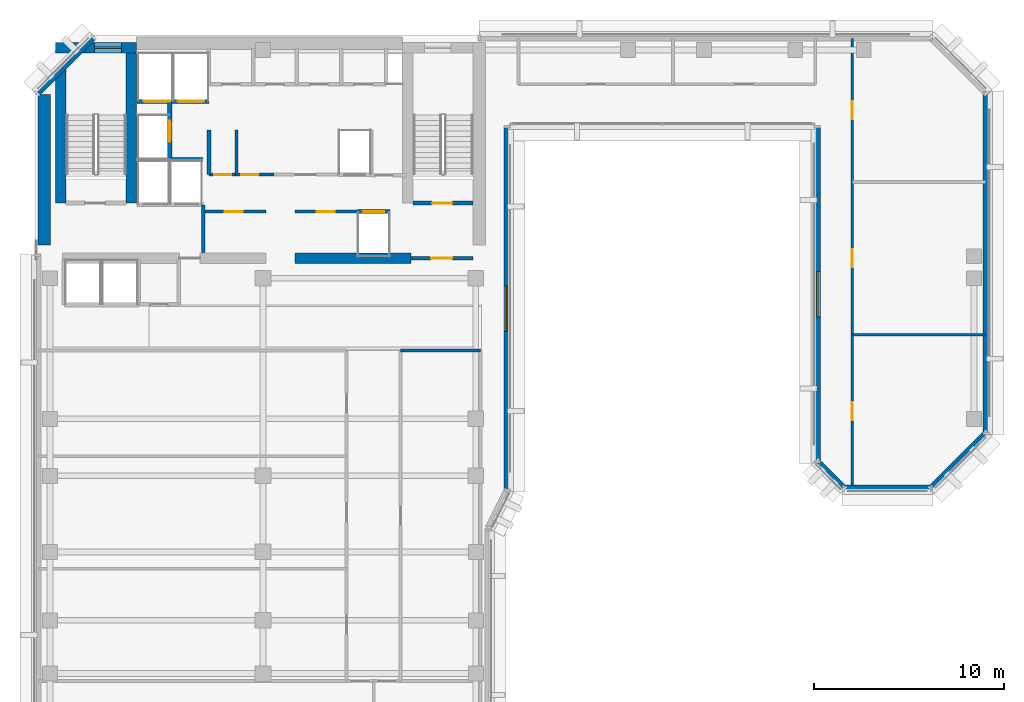
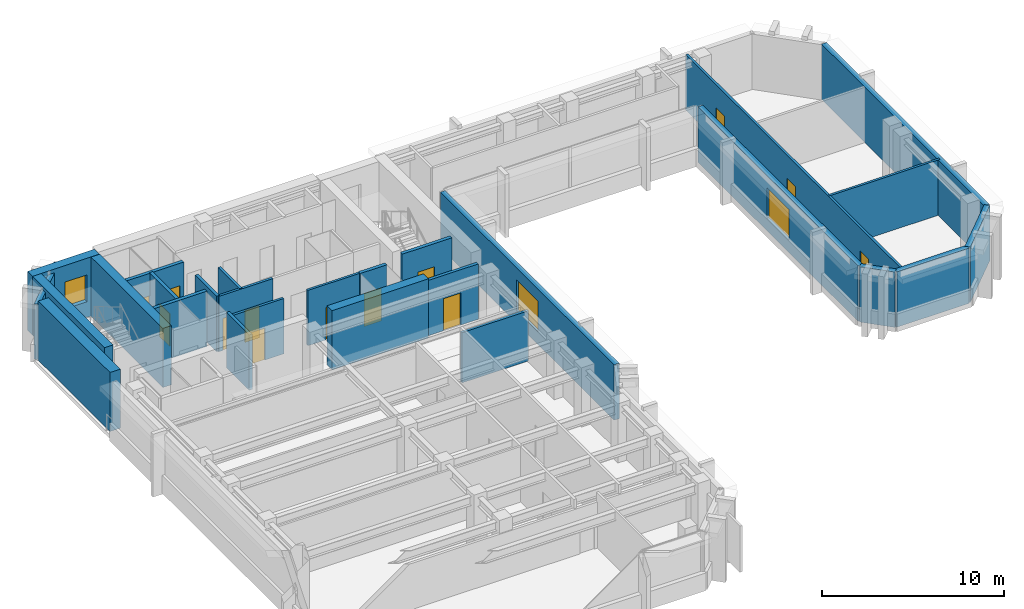
# One storey, part 6 of 11: 27 walls, 13 doors, 3 windows, 16 openings.
"""IFC4 building model written with IfcOpenShell, lengths in metres."""

from ifc_helpers import new_model, si_unit, direction, frame, frame_2d, origin, place, context, subcontext, project, spatial, rectangle, extrude, material, layer, layer_set, type_object, element, fill, save


model = new_model("IFC4")

# Units and contexts
model_context = context("Model", 3, precision=1e-05, world=origin(), true_north=direction((0.0, 1.0)))
body_context = subcontext(model_context, "Body", "Model", "MODEL_VIEW")
ifc_project = project(units=[si_unit("LENGTHUNIT", "METRE"), si_unit("AREAUNIT", "SQUARE_METRE"), si_unit("VOLUMEUNIT", "CUBIC_METRE"), si_unit("PLANEANGLEUNIT", "RADIAN"), si_unit("MASSUNIT", "GRAM", prefix="KILO")], contexts=[model_context])

# Site, building, storey
site_placement = place(None, origin())
site = spatial("IfcSite", under=ifc_project, at=site_placement, CompositionType="ELEMENT")
building_placement = place(site_placement, origin())
building = spatial("IfcBuilding", under=site, at=building_placement, Name="Kefirva Bronze Tower", CompositionType="ELEMENT")
storey_placement = place(building_placement, frame((0.0, 0.0, 219.780029296875)))
storey = spatial("IfcBuildingStorey", under=building, at=storey_placement, Name="L53", CompositionType="ELEMENT", Elevation=219.780029296875)

# Wall, opening, door
ifc_material_1 = material(Name="Gypsum acoustic partition")
ifc_layer_1 = layer(ifc_material_1, 0.14990234375, Name="Gypsum acoustic partition")
ifc_layer_set_1 = layer_set([ifc_layer_1], Name="Gypsum acoustic partition")
wall_type_1 = type_object("IfcWallType", Name="Executive Suite Partition 150mm", PredefinedType="PARTITIONING", material=ifc_layer_set_1)
wall_1_placement = place(storey_placement, frame((13.679931640625, 36.699951171875, 0.0), z_axis=(0.0, 0.0, 1.0), x_axis=(1.0, 0.0, 0.0)))
wall_1 = element("IfcWall", 1, at=wall_1_placement, inside=storey, type_object=wall_type_1, Name="L53 Partition W-L53-RECMP1", PredefinedType="PARTITIONING", context=body_context, shape_type="SweptSolid", body=[
    extrude(rectangle(XDim=3.280029296875, YDim=0.14990234375, at=frame_2d((1.64013671875, 0.0))), origin(), (0.0, 0.0, 1.0), 3.7099609375),
])
opening_1_placement = place(wall_1_placement, frame((1.14990234375, 0.0, 0.0)))
opening_1 = element("IfcOpeningElement", 2, at=opening_1_placement, cuts=wall_1, Name="Opening L53-D-RECMP1", PredefinedType="OPENING", context=body_context, shape_type="SweptSolid", body=[
    extrude(rectangle(XDim=0.949951171875, YDim=2.14990234375, at=frame_2d((0.47509765625, 1.074951171875))), frame((0.0, 0.0849609375, 0.0), z_axis=(0.0, -1.0, 0.0), x_axis=(1.0, 0.0, 0.0)), (0.0, 0.0, 1.0), 0.169921875),
])
ifc_material_2 = material(Name="Acoustic hardwood oak", Category="wood")
door_type_1 = type_object("IfcDoorType", Name="Office & Meeting Room Door 950x2150", OperationType="NOTDEFINED", PredefinedType="DOOR", material=ifc_material_2)
door_1_placement = place(opening_1_placement, origin())
door_1 = element("IfcDoor", 3, at=door_1_placement, inside=storey, type_object=door_type_1, Name="Door L53-D-RECMP1", OperationType="SINGLE_SWING_RIGHT", OverallHeight=2.14990234375, OverallWidth=0.949951171875, PredefinedType="DOOR", context=body_context, shape_type="SweptSolid", body=[
    extrude(rectangle(XDim=0.949951171875, YDim=2.14990234375, at=frame_2d((0.47509765625, 1.074951171875))), frame((0.0, 0.02490234375, 0.0), z_axis=(0.0, -1.0, 0.0), x_axis=(1.0, 0.0, 0.0)), (0.0, 0.0, 1.0), 0.050048828125),
])
fill(opening_1, door_1)

# Wall, openings, doors
wall_2_placement = place(storey_placement, frame((43.0, 22.18994140625, 0.0), z_axis=(0.0, 0.0, 1.0), x_axis=(0.0, 1.0, 0.0)))
wall_2 = element("IfcWall", 4, at=wall_2_placement, inside=storey, type_object=wall_type_1, Name="L53 Partition W-L53-PVEST", PredefinedType="PARTITIONING", context=body_context, shape_type="SweptSolid", body=[
    extrude(rectangle(XDim=23.6201171875, YDim=0.14990234375, at=frame_2d((11.81005859375, 0.0))), origin(), (0.0, 0.0, 1.0), 3.7099609375),
])
opening_2_placement = place(wall_2_placement, frame((3.540283203125, 0.0, 0.0)))
opening_2 = element("IfcOpeningElement", 5, at=opening_2_placement, cuts=wall_2, Name="Opening L53-D-EPV1", PredefinedType="OPENING", context=body_context, shape_type="SweptSolid", body=[
    extrude(rectangle(XDim=0.949951171875, YDim=2.14990234375, at=frame_2d((0.47509765625, 1.074951171875))), frame((0.0, 0.0849609375, 0.0), z_axis=(0.0, -1.0, 0.0), x_axis=(1.0, 0.0, 0.0)), (0.0, 0.0, 1.0), 0.169921875),
])
opening_3_placement = place(wall_2_placement, frame((11.5712890625, 0.0, 0.0)))
opening_3 = element("IfcOpeningElement", 6, at=opening_3_placement, cuts=wall_2, Name="Opening L53-D-EPV2", PredefinedType="OPENING", context=body_context, shape_type="SweptSolid", body=[
    extrude(rectangle(XDim=0.949951171875, YDim=2.14990234375, at=frame_2d((0.47509765625, 1.074951171875))), frame((0.0, 0.0849609375, 0.0), z_axis=(0.0, -1.0, 0.0), x_axis=(1.0, 0.0, 0.0)), (0.0, 0.0, 1.0), 0.169921875),
])
opening_4_placement = place(wall_2_placement, frame((19.36572265625, 0.0, 0.0)))
opening_4 = element("IfcOpeningElement", 7, at=opening_4_placement, cuts=wall_2, Name="Opening L53-D-EPV3", PredefinedType="OPENING", context=body_context, shape_type="SweptSolid", body=[
    extrude(rectangle(XDim=0.949951171875, YDim=2.14990234375, at=frame_2d((0.47509765625, 1.074951171875))), frame((0.0, 0.0849609375, 0.0), z_axis=(0.0, -1.0, 0.0), x_axis=(1.0, 0.0, 0.0)), (0.0, 0.0, 1.0), 0.169921875),
])
door_2_placement = place(opening_2_placement, origin())
door_2 = element("IfcDoor", 8, at=door_2_placement, inside=storey, type_object=door_type_1, Name="Door L53-D-EPV1", OperationType="SINGLE_SWING_RIGHT", OverallHeight=2.14990234375, OverallWidth=0.949951171875, PredefinedType="DOOR", context=body_context, shape_type="SweptSolid", body=[
    extrude(rectangle(XDim=0.949951171875, YDim=2.14990234375, at=frame_2d((0.47509765625, 1.074951171875))), frame((0.0, 0.02490234375, 0.0), z_axis=(0.0, -1.0, 0.0), x_axis=(1.0, 0.0, 0.0)), (0.0, 0.0, 1.0), 0.050048828125),
])
fill(opening_2, door_2)
door_3_placement = place(opening_3_placement, origin())
door_3 = element("IfcDoor", 9, at=door_3_placement, inside=storey, type_object=door_type_1, Name="Door L53-D-EPV2", OperationType="SINGLE_SWING_LEFT", OverallHeight=2.14990234375, OverallWidth=0.949951171875, PredefinedType="DOOR", context=body_context, shape_type="SweptSolid", body=[
    extrude(rectangle(XDim=0.949951171875, YDim=2.14990234375, at=frame_2d((0.47509765625, 1.074951171875))), frame((0.0, 0.02490234375, 0.0), z_axis=(0.0, -1.0, 0.0), x_axis=(1.0, 0.0, 0.0)), (0.0, 0.0, 1.0), 0.050048828125),
])
fill(opening_3, door_3)
door_4_placement = place(opening_4_placement, origin())
door_4 = element("IfcDoor", 10, at=door_4_placement, inside=storey, type_object=door_type_1, Name="Door L53-D-EPV3", OperationType="SINGLE_SWING_RIGHT", OverallHeight=2.14990234375, OverallWidth=0.949951171875, PredefinedType="DOOR", context=body_context, shape_type="SweptSolid", body=[
    extrude(rectangle(XDim=0.949951171875, YDim=2.14990234375, at=frame_2d((0.47509765625, 1.074951171875))), frame((0.0, 0.02490234375, 0.0), z_axis=(0.0, -1.0, 0.0), x_axis=(1.0, 0.0, 0.0)), (0.0, 0.0, 1.0), 0.050048828125),
])
fill(opening_4, door_4)

# Wall
wall_3_placement = place(storey_placement, frame((43.0, 30.220703125, 0.0), z_axis=(0.0, 0.0, 1.0), x_axis=(1.0, 0.0, 0.0)))
element("IfcWall", 11, at=wall_3_placement, inside=storey, type_object=wall_type_1, Name="L53 Partition W-L53-EPVD1", PredefinedType="PARTITIONING", context=body_context, shape_type="SweptSolid", body=[
    extrude(rectangle(XDim=7.010009765625, YDim=0.14990234375, at=frame_2d((3.5048828125, 0.0))), origin(), (0.0, 0.0, 1.0), 3.7099609375),
])

# Wall, opening, door
ifc_material_3 = material(Name="Gypsum fireboard shaftwall")
ifc_layer_2 = layer(ifc_material_3, 0.219970703125, Name="Gypsum fireboard shaftwall")
ifc_layer_set_2 = layer_set([ifc_layer_2], Name="Gypsum fireboard shaftwall")
wall_type_2 = type_object("IfcWallType", Name="Fire-Rated Shaft Enclosure Wall 220mm", PredefinedType="PARTITIONING", material=ifc_layer_set_2)
wall_4_placement = place(storey_placement, frame((19.89990234375, 37.14990234375, 0.0), z_axis=(0.0, 0.0, 1.0), x_axis=(1.0, 0.0, 0.0)))
wall_4 = element("IfcWall", 12, at=wall_4_placement, inside=storey, type_object=wall_type_2, Name="L53 Partition W-L53-ST2S", PredefinedType="PARTITIONING", context=body_context, shape_type="SweptSolid", body=[
    extrude(rectangle(XDim=3.150146484375, YDim=0.219970703125, at=frame_2d((1.5751953125, 0.0))), origin(), (0.0, 0.0, 1.0), 3.7099609375),
])
opening_5_placement = place(wall_4_placement, frame((2.050048828125, 0.0, 0.0), z_axis=(0.0, 0.0, 1.0), x_axis=(-1.0, 0.0, 0.0)))
opening_5 = element("IfcOpeningElement", 13, at=opening_5_placement, cuts=wall_4, Name="Opening L53-D003", PredefinedType="OPENING", context=body_context, shape_type="SweptSolid", body=[
    extrude(rectangle(XDim=1.050048828125, YDim=2.14990234375, at=frame_2d((0.52490234375, 1.074951171875))), frame((0.0, 0.1201171875, 0.0), z_axis=(0.0, -1.0, 0.0), x_axis=(1.0, 0.0, 0.0)), (0.0, 0.0, 1.0), 0.239990234375),
])
ifc_material_4 = material(Name="Painted galvanized steel", Category="steel")
door_type_2 = type_object("IfcDoorType", Name="Fire Stair Enclosure Door 1050x2150 FD90S", OperationType="NOTDEFINED", PredefinedType="DOOR", material=ifc_material_4)
door_5_placement = place(opening_5_placement, origin())
door_5 = element("IfcDoor", 14, at=door_5_placement, inside=storey, type_object=door_type_2, Name="Door L53-D003", OperationType="SINGLE_SWING_LEFT", OverallHeight=2.14990234375, OverallWidth=1.050048828125, PredefinedType="DOOR", context=body_context, shape_type="SweptSolid", body=[
    extrude(rectangle(XDim=1.050048828125, YDim=2.14990234375, at=frame_2d((0.52490234375, 1.074951171875))), frame((0.0, 0.02490234375, 0.0), z_axis=(0.0, -1.0, 0.0), x_axis=(1.0, 0.0, 0.0)), (0.0, 0.0, 1.0), 0.050048828125),
])
fill(opening_5, door_5)

# Wall
wall_5_placement = place(storey_placement, frame((5.3798828125, 39.449951171875, 0.0), z_axis=(0.0, 0.0, 1.0), x_axis=(1.0, 0.0, 0.0)))
element("IfcWall", 15, at=wall_5_placement, inside=storey, type_object=wall_type_2, Name="L53 Partition W-L53-FFN", PredefinedType="PARTITIONING", context=body_context, shape_type="SweptSolid", body=[
    extrude(rectangle(XDim=3.460205078125, YDim=0.219970703125, at=frame_2d((1.72998046875, 0.0))), origin(), (0.0, 0.0, 1.0), 3.7099609375),
])

# Wall, openings, doors
wall_6_placement = place(storey_placement, frame((5.3798828125, 42.5, 0.0), z_axis=(0.0, 0.0, 1.0), x_axis=(1.0, 0.0, 0.0)))
wall_6 = element("IfcWall", 16, at=wall_6_placement, inside=storey, type_object=wall_type_2, Name="L53 Partition W-L53-SVS", PredefinedType="PARTITIONING", context=body_context, shape_type="SweptSolid", body=[
    extrude(rectangle(XDim=3.77001953125, YDim=0.219970703125, at=frame_2d((1.885009765625, 0.0))), origin(), (0.0, 0.0, 1.0), 3.7099609375),
])
opening_6_placement = place(wall_6_placement, frame((1.75, 0.0, 0.0), z_axis=(0.0, 0.0, 1.0), x_axis=(-1.0, 0.0, 0.0)))
opening_6 = element("IfcOpeningElement", 17, at=opening_6_placement, cuts=wall_6, Name="Opening L53-LD-SV1", PredefinedType="OPENING", context=body_context, shape_type="SweptSolid", body=[
    extrude(rectangle(XDim=1.39990234375, YDim=2.199951171875, at=frame_2d((0.699951171875, 1.10009765625))), frame((0.0, 0.1201171875, 0.0), z_axis=(0.0, -1.0, 0.0), x_axis=(1.0, 0.0, 0.0)), (0.0, 0.0, 1.0), 0.239990234375),
])
opening_7_placement = place(wall_6_placement, frame((3.52978515625, 0.0, 0.0), z_axis=(0.0, 0.0, 1.0), x_axis=(-1.0, 0.0, 0.0)))
opening_7 = element("IfcOpeningElement", 18, at=opening_7_placement, cuts=wall_6, Name="Opening L53-LD-SV2", PredefinedType="OPENING", context=body_context, shape_type="SweptSolid", body=[
    extrude(rectangle(XDim=1.39990234375, YDim=2.199951171875, at=frame_2d((0.699951171875, 1.10009765625))), frame((0.0, 0.1201171875, 0.0), z_axis=(0.0, -1.0, 0.0), x_axis=(1.0, 0.0, 0.0)), (0.0, 0.0, 1.0), 0.239990234375),
])
ifc_material_5 = material(Name="Stainless steel 316", Category="steel")
door_type_3 = type_object("IfcDoorType", Name="Goods Lift Bi-Parting Sliding Door 1400x2200", OperationType="SLIDING_TO_LEFT", PredefinedType="DOOR", material=ifc_material_5)
door_6_placement = place(opening_6_placement, origin())
door_6 = element("IfcDoor", 19, at=door_6_placement, inside=storey, type_object=door_type_3, Name="Door L53-LD-SV1", OperationType="SLIDING_TO_LEFT", OverallHeight=2.199951171875, OverallWidth=1.39990234375, PredefinedType="DOOR", context=body_context, shape_type="SweptSolid", body=[
    extrude(rectangle(XDim=1.39990234375, YDim=2.199951171875, at=frame_2d((0.699951171875, 1.10009765625))), frame((0.0, 0.02490234375, 0.0), z_axis=(0.0, -1.0, 0.0), x_axis=(1.0, 0.0, 0.0)), (0.0, 0.0, 1.0), 0.050048828125),
])
fill(opening_6, door_6)
door_7_placement = place(opening_7_placement, origin())
door_7 = element("IfcDoor", 20, at=door_7_placement, inside=storey, type_object=door_type_3, Name="Door L53-LD-SV2", OperationType="SLIDING_TO_LEFT", OverallHeight=2.199951171875, OverallWidth=1.39990234375, PredefinedType="DOOR", context=body_context, shape_type="SweptSolid", body=[
    extrude(rectangle(XDim=1.39990234375, YDim=2.199951171875, at=frame_2d((0.699951171875, 1.10009765625))), frame((0.0, 0.02490234375, 0.0), z_axis=(0.0, -1.0, 0.0), x_axis=(1.0, 0.0, 0.0)), (0.0, 0.0, 1.0), 0.050048828125),
])
fill(opening_7, door_7)

# Wall, opening, door
wall_7_placement = place(storey_placement, frame((7.10009765625, 39.52001953125, 0.0), z_axis=(0.0, 0.0, 1.0), x_axis=(0.0, 1.0, 0.0)))
wall_7 = element("IfcWall", 21, at=wall_7_placement, inside=storey, type_object=wall_type_2, Name="L53 Partition W-L53-HP3E", PredefinedType="PARTITIONING", context=body_context, shape_type="SweptSolid", body=[
    extrude(rectangle(XDim=2.929931640625, YDim=0.219970703125, at=frame_2d((1.46484375, 0.0))), origin(), (0.0, 0.0, 1.0), 3.7099609375),
])
opening_8_placement = place(wall_7_placement, frame((0.85009765625, 0.0, 0.0)))
opening_8 = element("IfcOpeningElement", 22, at=opening_8_placement, cuts=wall_7, Name="Opening L53-LD-HP3", PredefinedType="OPENING", context=body_context, shape_type="SweptSolid", body=[
    extrude(rectangle(XDim=1.10009765625, YDim=2.199951171875, at=frame_2d((0.550048828125, 1.10009765625))), frame((0.0, 0.1201171875, 0.0), z_axis=(0.0, -1.0, 0.0), x_axis=(1.0, 0.0, 0.0)), (0.0, 0.0, 1.0), 0.239990234375),
])
door_type_4 = type_object("IfcDoorType", Name="Passenger Lift Sliding Landing Door 1100x2200", OperationType="SLIDING_TO_LEFT", PredefinedType="DOOR", material=ifc_material_5)
door_8_placement = place(opening_8_placement, origin())
door_8 = element("IfcDoor", 23, at=door_8_placement, inside=storey, type_object=door_type_4, Name="Door L53-LD-HP3", OperationType="SLIDING_TO_LEFT", OverallHeight=2.199951171875, OverallWidth=1.10009765625, PredefinedType="DOOR", context=body_context, shape_type="SweptSolid", body=[
    extrude(rectangle(XDim=1.10009765625, YDim=2.199951171875, at=frame_2d((0.550048828125, 1.10009765625))), frame((0.0, 0.02490234375, 0.0), z_axis=(0.0, -1.0, 0.0), x_axis=(1.0, 0.0, 0.0)), (0.0, 0.0, 1.0), 0.050048828125),
])
fill(opening_8, door_8)

# Wall
wall_8_placement = place(storey_placement, frame((9.159912109375, 38.64990234375, 0.0), z_axis=(0.0, 0.0, 1.0), x_axis=(0.0, 1.0, 0.0)))
element("IfcWall", 24, at=wall_8_placement, inside=storey, type_object=wall_type_2, Name="L53 Partition W-L53-LP3W", PredefinedType="PARTITIONING", context=body_context, shape_type="SweptSolid", body=[
    extrude(rectangle(XDim=2.35009765625, YDim=0.199951171875, at=frame_2d((1.175048828125, 0.0))), origin(), (0.0, 0.0, 1.0), 3.7099609375),
])

# Wall, opening, door
wall_9_placement = place(storey_placement, frame((16.97998046875, 36.699951171875, 0.0), z_axis=(0.0, 0.0, 1.0), x_axis=(1.0, 0.0, 0.0)))
wall_9 = element("IfcWall", 25, at=wall_9_placement, inside=storey, type_object=wall_type_2, Name="L53 Partition W-L53-HPS", PredefinedType="PARTITIONING", context=body_context, shape_type="SweptSolid", body=[
    extrude(rectangle(XDim=1.699951171875, YDim=0.219970703125, at=frame_2d((0.85009765625, 0.0))), origin(), (0.0, 0.0, 1.0), 3.7099609375),
])
opening_9_placement = place(wall_9_placement, frame((0.300048828125, 0.0, 0.0)))
opening_9 = element("IfcOpeningElement", 26, at=opening_9_placement, cuts=wall_9, Name="Opening L53-LD-HP1", PredefinedType="OPENING", context=body_context, shape_type="SweptSolid", body=[
    extrude(rectangle(XDim=1.10009765625, YDim=2.199951171875, at=frame_2d((0.550048828125, 1.10009765625))), frame((0.0, 0.1201171875, 0.0), z_axis=(0.0, -1.0, 0.0), x_axis=(1.0, 0.0, 0.0)), (0.0, 0.0, 1.0), 0.239990234375),
])
door_9_placement = place(opening_9_placement, origin())
door_9 = element("IfcDoor", 27, at=door_9_placement, inside=storey, type_object=door_type_4, Name="Door L53-LD-HP1", OperationType="SLIDING_TO_LEFT", OverallHeight=2.199951171875, OverallWidth=1.10009765625, PredefinedType="DOOR", context=body_context, shape_type="SweptSolid", body=[
    extrude(rectangle(XDim=1.10009765625, YDim=2.199951171875, at=frame_2d((0.550048828125, 1.10009765625))), frame((0.0, 0.02490234375, 0.0), z_axis=(0.0, -1.0, 0.0), x_axis=(1.0, 0.0, 0.0)), (0.0, 0.0, 1.0), 0.050048828125),
])
fill(opening_9, door_9)

# Wall
ifc_material_6 = material(Name="Gypsum fireboard barrier")
ifc_layer_3 = layer(ifc_material_6, 0.199951171875, Name="Gypsum fireboard barrier")
ifc_layer_set_3 = layer_set([ifc_layer_3], Name="Gypsum fireboard barrier")
wall_type_3 = type_object("IfcWallType", Name="Firefighting Lobby Barrier Wall 200mm", PredefinedType="PARTITIONING", material=ifc_layer_set_3)
wall_10_placement = place(storey_placement, frame((8.860107421875, 34.550048828125, 0.0), z_axis=(0.0, 0.0, 1.0), x_axis=(0.0, 1.0, 0.0)))
element("IfcWall", 28, at=wall_10_placement, inside=storey, type_object=wall_type_3, Name="L53 Partition W-L53-FFLE", PredefinedType="PARTITIONING", context=body_context, shape_type="SweptSolid", body=[
    extrude(rectangle(XDim=2.5, YDim=0.199951171875, at=frame_2d((1.25, 0.0))), origin(), (0.0, 0.0, 1.0), 3.7099609375),
])

# Wall, opening, door
wall_11_placement = place(storey_placement, frame((19.800048828125, 34.25, 0.0), z_axis=(0.0, 0.0, 1.0), x_axis=(1.0, 0.0, 0.0)))
wall_11 = element("IfcWall", 29, at=wall_11_placement, inside=storey, type_object=wall_type_3, Name="L53 Partition W-L53-ST2F", PredefinedType="PARTITIONING", context=body_context, shape_type="SweptSolid", body=[
    extrude(rectangle(XDim=3.25, YDim=0.199951171875, at=frame_2d((1.625, 0.0))), origin(), (0.0, 0.0, 1.0), 3.7099609375),
])
opening_10_placement = place(wall_11_placement, frame((2.150146484375, 0.0, 0.0), z_axis=(0.0, 0.0, 1.0), x_axis=(-1.0, 0.0, 0.0)))
opening_10 = element("IfcOpeningElement", 30, at=opening_10_placement, cuts=wall_11, Name="Opening L53-D004", PredefinedType="OPENING", context=body_context, shape_type="SweptSolid", body=[
    extrude(rectangle(XDim=1.10009765625, YDim=2.14990234375, at=frame_2d((0.550048828125, 1.074951171875))), frame((0.0, 0.10986328125, 0.0), z_axis=(0.0, -1.0, 0.0), x_axis=(1.0, 0.0, 0.0)), (0.0, 0.0, 1.0), 0.219970703125),
])
door_type_5 = type_object("IfcDoorType", Name="Firefighting Lobby Smoke Door 1100x2150 FD60S", OperationType="NOTDEFINED", PredefinedType="DOOR", material=ifc_material_4)
door_10_placement = place(opening_10_placement, origin())
door_10 = element("IfcDoor", 31, at=door_10_placement, inside=storey, type_object=door_type_5, Name="Door L53-D004", OperationType="SINGLE_SWING_RIGHT", OverallHeight=2.14990234375, OverallWidth=1.10009765625, PredefinedType="DOOR", context=body_context, shape_type="SweptSolid", body=[
    extrude(rectangle(XDim=1.10009765625, YDim=2.14990234375, at=frame_2d((0.550048828125, 1.074951171875))), frame((0.0, 0.02490234375, 0.0), z_axis=(0.0, -1.0, 0.0), x_axis=(1.0, 0.0, 0.0)), (0.0, 0.0, 1.0), 0.050048828125),
])
fill(opening_10, door_10)

# Wall, opening, window
ifc_material_7 = material(Name="Precast concrete C40/50", Category="concrete")
ifc_layer_4 = layer(ifc_material_7, 0.320068359375, Name="Precast concrete C40/50")
ifc_layer_set_4 = layer_set([ifc_layer_4], Name="Precast concrete C40/50")
wall_type_4 = type_object("IfcWallType", Name="Precast Insulated Exterior Wall 320mm", PredefinedType="SOLIDWALL", material=ifc_layer_set_4)
wall_12_placement = place(storey_placement, frame((24.840087890625, 22.054931640625, 0.0), z_axis=(0.0, 0.0, 1.0), x_axis=(0.0, 1.0, 0.0)))
wall_12 = element("IfcWall", 32, at=wall_12_placement, inside=storey, type_object=wall_type_4, Name="L53 Exterior Facade Wall 4", PredefinedType="SOLIDWALL", context=body_context, shape_type="SweptSolid", body=[
    extrude(rectangle(XDim=19.090087890625, YDim=0.320068359375, at=frame_2d((9.544921875, 0.0))), origin(), (0.0, 0.0, 1.0), 3.7099609375),
])
opening_11_placement = place(wall_12_placement, frame((8.344970703125, 0.0, 0.85009765625)))
opening_11 = element("IfcOpeningElement", 33, at=opening_11_placement, cuts=wall_12, Name="Opening WN-01", PredefinedType="OPENING", context=body_context, shape_type="SweptSolid", body=[
    extrude(rectangle(XDim=2.39990234375, YDim=2.050048828125, at=frame_2d((1.199951171875, 1.02490234375))), frame((0.0, 0.169921875, 0.0), z_axis=(0.0, -1.0, 0.0), x_axis=(1.0, 0.0, 0.0)), (0.0, 0.0, 1.0), 0.340087890625),
])
ifc_material_8 = material(Name="Laminated low-E double glazing", Category="glass")
window_type_1 = type_object("IfcWindowType", Name="Streamline Ribbon Window 2400x2050", PartitioningType="SINGLE_PANEL", PredefinedType="WINDOW", material=ifc_material_8)
window_1_placement = place(opening_11_placement, origin())
window_1 = element("IfcWindow", 34, at=window_1_placement, inside=storey, type_object=window_type_1, Name="L53 Ribbon Window 4", OverallHeight=2.050048828125, OverallWidth=2.39990234375, PartitioningType="SINGLE_PANEL", PredefinedType="WINDOW", context=body_context, shape_type="SweptSolid", body=[
    extrude(rectangle(XDim=2.39990234375, YDim=2.050048828125, at=frame_2d((1.199951171875, 1.02490234375))), frame((0.0, 0.030029296875, 0.0), z_axis=(0.0, -1.0, 0.0), x_axis=(1.0, 0.0, 0.0)), (0.0, 0.0, 1.0), 0.06005859375),
])
fill(opening_11, window_1)

wall_13_placement = place(storey_placement, frame((41.159912109375, 41.14501953125, 0.0), z_axis=(0.0, 0.0, 1.0), x_axis=(0.0, -1.0, 0.0)))
wall_13 = element("IfcWall", 35, at=wall_13_placement, inside=storey, type_object=wall_type_4, Name="L53 Exterior Facade Wall 5", PredefinedType="SOLIDWALL", context=body_context, shape_type="SweptSolid", body=[
    extrude(rectangle(XDim=17.590087890625, YDim=0.320068359375, at=frame_2d((8.794921875, 0.0))), origin(), (0.0, 0.0, 1.0), 3.7099609375),
])
opening_12_placement = place(wall_13_placement, frame((7.594970703125, 0.0, 0.85009765625)))
opening_12 = element("IfcOpeningElement", 36, at=opening_12_placement, cuts=wall_13, Name="Opening WN-01", PredefinedType="OPENING", context=body_context, shape_type="SweptSolid", body=[
    extrude(rectangle(XDim=2.39990234375, YDim=2.050048828125, at=frame_2d((1.199951171875, 1.02490234375))), frame((0.0, 0.169921875, 0.0), z_axis=(0.0, -1.0, 0.0), x_axis=(1.0, 0.0, 0.0)), (0.0, 0.0, 1.0), 0.340087890625),
])
window_2_placement = place(opening_12_placement, origin())
window_2 = element("IfcWindow", 37, at=window_2_placement, inside=storey, type_object=window_type_1, Name="L53 Ribbon Window 5", OverallHeight=2.050048828125, OverallWidth=2.39990234375, PartitioningType="SINGLE_PANEL", PredefinedType="WINDOW", context=body_context, shape_type="SweptSolid", body=[
    extrude(rectangle(XDim=2.39990234375, YDim=2.050048828125, at=frame_2d((1.199951171875, 1.02490234375))), frame((0.0, 0.030029296875, 0.0), z_axis=(0.0, -1.0, 0.0), x_axis=(1.0, 0.0, 0.0)), (0.0, 0.0, 1.0), 0.06005859375),
])
fill(opening_12, window_2)

# Walls
wall_14_placement = place(storey_placement, frame((41.152099609375, 23.57421875, 0.0), z_axis=(0.0, 0.0, 1.0), x_axis=(0.707106781187, -0.707106781187, 0.0)))
element("IfcWall", 38, at=wall_14_placement, inside=storey, type_object=wall_type_4, Name="L53 Exterior Facade Wall 6", PredefinedType="SOLIDWALL", context=body_context, shape_type="SweptSolid", body=[
    extrude(rectangle(XDim=2.01123046875, YDim=0.320068359375, at=frame_2d((1.005615234375, 0.0))), origin(), (0.0, 0.0, 1.0), 3.7099609375),
])
wall_15_placement = place(storey_placement, frame((42.554931640625, 22.159912109375, 0.0), z_axis=(0.0, 0.0, 1.0), x_axis=(1.0, 0.0, 0.0)))
element("IfcWall", 39, at=wall_15_placement, inside=storey, type_object=wall_type_4, Name="L53 Exterior Facade Wall 7", PredefinedType="SOLIDWALL", context=body_context, shape_type="SweptSolid", body=[
    extrude(rectangle(XDim=4.590087890625, YDim=0.320068359375, at=frame_2d((2.294921875, 0.0))), origin(), (0.0, 0.0, 1.0), 3.7099609375),
])
wall_16_placement = place(storey_placement, frame((47.125732421875, 22.152099609375, 0.0), z_axis=(0.0, 0.0, 1.0), x_axis=(0.707136318428, 0.707077242712, 0.0)))
element("IfcWall", 40, at=wall_16_placement, inside=storey, type_object=wall_type_4, Name="L53 Exterior Facade Wall 8", PredefinedType="SOLIDWALL", context=body_context, shape_type="SweptSolid", body=[
    extrude(rectangle(XDim=4.132568359375, YDim=0.320068359375, at=frame_2d((2.06640625, 0.0))), origin(), (0.0, 0.0, 1.0), 3.7099609375),
])
wall_17_placement = place(storey_placement, frame((50.0400390625, 25.054931640625, 0.0), z_axis=(0.0, 0.0, 1.0), x_axis=(0.0, 1.0, 0.0)))
element("IfcWall", 41, at=wall_17_placement, inside=storey, type_object=wall_type_4, Name="L53 Exterior Facade Wall 9", PredefinedType="SOLIDWALL", context=body_context, shape_type="SweptSolid", body=[
    extrude(rectangle(XDim=17.89013671875, YDim=0.320068359375, at=frame_2d((8.945068359375, 0.0))), origin(), (0.0, 0.0, 1.0), 3.7099609375),
])
wall_18_placement = place(storey_placement, frame((3.07421875, 45.847900390625, 0.0), z_axis=(0.0, 0.0, 1.0), x_axis=(-0.707106781187, -0.707106781187, 0.0)))
element("IfcWall", 42, at=wall_18_placement, inside=storey, type_object=wall_type_4, Name="L53 Exterior Facade Wall 12", PredefinedType="SOLIDWALL", context=body_context, shape_type="SweptSolid", body=[
    extrude(rectangle(XDim=4.132568359375, YDim=0.320068359375, at=frame_2d((2.06640625, 0.0))), origin(), (0.0, 0.0, 1.0), 3.7099609375),
])

# Wall, opening, door
ifc_layer_5 = layer(ifc_material_1, 0.159912109375, Name="Gypsum acoustic partition")
ifc_layer_set_5 = layer_set([ifc_layer_5], Name="Gypsum acoustic partition")
wall_type_5 = type_object("IfcWallType", Name="Protected Corridor Partition 160mm", PredefinedType="PARTITIONING", material=ifc_layer_set_5)
wall_19_placement = place(storey_placement, frame((8.89990234375, 36.699951171875, 0.0), z_axis=(0.0, 0.0, 1.0), x_axis=(1.0, 0.0, 0.0)))
wall_19 = element("IfcWall", 43, at=wall_19_placement, inside=storey, type_object=wall_type_5, Name="L53 Partition W-L53-RECLP1", PredefinedType="PARTITIONING", context=body_context, shape_type="SweptSolid", body=[
    extrude(rectangle(XDim=3.25, YDim=0.159912109375, at=frame_2d((1.625, 0.0))), origin(), (0.0, 0.0, 1.0), 3.7099609375),
])
opening_13_placement = place(wall_19_placement, frame((1.10009765625, 0.0, 0.0)))
opening_13 = element("IfcOpeningElement", 44, at=opening_13_placement, cuts=wall_19, Name="Opening L53-D-RECLP1", PredefinedType="OPENING", context=body_context, shape_type="SweptSolid", body=[
    extrude(rectangle(XDim=0.949951171875, YDim=2.14990234375, at=frame_2d((0.47509765625, 1.074951171875))), frame((0.0, 0.08984375, 0.0), z_axis=(0.0, -1.0, 0.0), x_axis=(1.0, 0.0, 0.0)), (0.0, 0.0, 1.0), 0.179931640625),
])
door_11_placement = place(opening_13_placement, origin())
door_11 = element("IfcDoor", 45, at=door_11_placement, inside=storey, type_object=door_type_1, Name="Door L53-D-RECLP1", OperationType="SINGLE_SWING_LEFT", OverallHeight=2.14990234375, OverallWidth=0.949951171875, PredefinedType="DOOR", context=body_context, shape_type="SweptSolid", body=[
    extrude(rectangle(XDim=0.949951171875, YDim=2.14990234375, at=frame_2d((0.47509765625, 1.074951171875))), frame((0.0, 0.02490234375, 0.0), z_axis=(0.0, -1.0, 0.0), x_axis=(1.0, 0.0, 0.0)), (0.0, 0.0, 1.0), 0.050048828125),
])
fill(opening_13, door_11)

# Wall, openings, doors
wall_20_placement = place(storey_placement, frame((9.159912109375, 38.64990234375, 0.0), z_axis=(0.0, 0.0, 1.0), x_axis=(1.0, 0.0, 0.0)))
wall_20 = element("IfcWall", 46, at=wall_20_placement, inside=storey, type_object=wall_type_5, Name="L53 Partition W-L53-RECLP2", PredefinedType="PARTITIONING", context=body_context, shape_type="SweptSolid", body=[
    extrude(rectangle(XDim=3.420166015625, YDim=0.159912109375, at=frame_2d((1.7099609375, 0.0))), origin(), (0.0, 0.0, 1.0), 3.7099609375),
])
opening_14_placement = place(wall_20_placement, frame((1.179931640625, 0.0, 0.0), z_axis=(0.0, 0.0, 1.0), x_axis=(-1.0, 0.0, 0.0)))
opening_14 = element("IfcOpeningElement", 47, at=opening_14_placement, cuts=wall_20, Name="Opening L53-D-RECLP2A", PredefinedType="OPENING", context=body_context, shape_type="SweptSolid", body=[
    extrude(rectangle(XDim=0.89990234375, YDim=2.14990234375, at=frame_2d((0.449951171875, 1.074951171875))), frame((0.0, 0.08984375, 0.0), z_axis=(0.0, -1.0, 0.0), x_axis=(1.0, 0.0, 0.0)), (0.0, 0.0, 1.0), 0.179931640625),
])
opening_15_placement = place(wall_20_placement, frame((2.599853515625, 0.0, 0.0), z_axis=(0.0, 0.0, 1.0), x_axis=(-1.0, 0.0, 0.0)))
opening_15 = element("IfcOpeningElement", 48, at=opening_15_placement, cuts=wall_20, Name="Opening L53-D-RECLP2B", PredefinedType="OPENING", context=body_context, shape_type="SweptSolid", body=[
    extrude(rectangle(XDim=0.89990234375, YDim=2.14990234375, at=frame_2d((0.449951171875, 1.074951171875))), frame((0.0, 0.08984375, 0.0), z_axis=(0.0, -1.0, 0.0), x_axis=(1.0, 0.0, 0.0)), (0.0, 0.0, 1.0), 0.179931640625),
])
door_type_6 = type_object("IfcDoorType", Name="Core Archive & Server Fire Door 900x2150 FD60S", OperationType="NOTDEFINED", PredefinedType="DOOR", material=ifc_material_4)
door_12_placement = place(opening_14_placement, origin())
door_12 = element("IfcDoor", 49, at=door_12_placement, inside=storey, type_object=door_type_6, Name="Door L53-D-RECLP2A", OperationType="SINGLE_SWING_RIGHT", OverallHeight=2.14990234375, OverallWidth=0.89990234375, PredefinedType="DOOR", context=body_context, shape_type="SweptSolid", body=[
    extrude(rectangle(XDim=0.89990234375, YDim=2.14990234375, at=frame_2d((0.449951171875, 1.074951171875))), frame((0.0, 0.02490234375, 0.0), z_axis=(0.0, -1.0, 0.0), x_axis=(1.0, 0.0, 0.0)), (0.0, 0.0, 1.0), 0.050048828125),
])
fill(opening_14, door_12)
door_13_placement = place(opening_15_placement, origin())
door_13 = element("IfcDoor", 50, at=door_13_placement, inside=storey, type_object=door_type_6, Name="Door L53-D-RECLP2B", OperationType="SINGLE_SWING_LEFT", OverallHeight=2.14990234375, OverallWidth=0.89990234375, PredefinedType="DOOR", context=body_context, shape_type="SweptSolid", body=[
    extrude(rectangle(XDim=0.89990234375, YDim=2.14990234375, at=frame_2d((0.449951171875, 1.074951171875))), frame((0.0, 0.02490234375, 0.0), z_axis=(0.0, -1.0, 0.0), x_axis=(1.0, 0.0, 0.0)), (0.0, 0.0, 1.0), 0.050048828125),
])
fill(opening_15, door_13)

# Walls
wall_21_placement = place(storey_placement, frame((10.60009765625, 38.64990234375, 0.0), z_axis=(0.0, 0.0, 1.0), x_axis=(0.0, 1.0, 0.0)))
element("IfcWall", 51, at=wall_21_placement, inside=storey, type_object=wall_type_5, Name="L53 Partition W-L53-RECLP2D", PredefinedType="PARTITIONING", context=body_context, shape_type="SweptSolid", body=[
    extrude(rectangle(XDim=2.35009765625, YDim=0.159912109375, at=frame_2d((1.175048828125, 0.0))), origin(), (0.0, 0.0, 1.0), 3.7099609375),
])
wall_22_placement = place(storey_placement, frame((19.239990234375, 29.39990234375, 0.0), z_axis=(0.0, 0.0, 1.0), x_axis=(1.0, 0.0, 0.0)))
element("IfcWall", 52, at=wall_22_placement, inside=storey, type_object=wall_type_5, Name="L53 Partition W-L53-NET", PredefinedType="PARTITIONING", context=body_context, shape_type="SweptSolid", body=[
    extrude(rectangle(XDim=4.2099609375, YDim=0.159912109375, at=frame_2d((2.10498046875, 0.0))), origin(), (0.0, 0.0, 1.0), 3.364990234375),
])

# Wall, opening, window
ifc_material_9 = material(Name="Concrete C50/60", Category="concrete")
ifc_layer_6 = layer(ifc_material_9, 0.550048828125, Name="Concrete C50/60")
ifc_layer_set_6 = layer_set([ifc_layer_6], Name="Concrete C50/60")
wall_type_6 = type_object("IfcWallType", Name="RC Rear Core Exterior Wall 550mm", PredefinedType="SHEAR", material=ifc_layer_set_6)
wall_23_placement = place(storey_placement, frame((1.10009765625, 45.320068359375, 0.0), z_axis=(0.0, 0.0, 1.0), x_axis=(1.0, 0.0, 0.0)))
wall_23 = element("IfcWall", 53, at=wall_23_placement, inside=storey, type_object=wall_type_6, Name="L53 Stair 1 North Shear Wall", PredefinedType="SHEAR", context=body_context, shape_type="SweptSolid", body=[
    extrude(rectangle(XDim=4.239990234375, YDim=0.550048828125, at=frame_2d((2.1201171875, 0.0))), origin(), (0.0, 0.0, 1.0), 3.9599609375),
])
opening_16_placement = place(wall_23_placement, frame((2.050048828125, 0.0, 1.050048828125)))
opening_16 = element("IfcOpeningElement", 54, at=opening_16_placement, cuts=wall_23, Name="Opening WN-03", PredefinedType="OPENING", context=body_context, shape_type="SweptSolid", body=[
    extrude(rectangle(XDim=1.39990234375, YDim=1.800048828125, at=frame_2d((0.699951171875, 0.89990234375))), frame((0.0, 0.28515625, 0.0), z_axis=(0.0, -1.0, 0.0), x_axis=(1.0, 0.0, 0.0)), (0.0, 0.0, 1.0), 0.570068359375),
])
window_type_2 = type_object("IfcWindowType", Name="Rear-Core Stair Daylight Window 1400x1800", PartitioningType="SINGLE_PANEL", PredefinedType="WINDOW", material=ifc_material_8)
window_3_placement = place(opening_16_placement, origin())
window_3 = element("IfcWindow", 55, at=window_3_placement, inside=storey, type_object=window_type_2, Name="L53 Stair 1 Daylight Window", OverallHeight=1.800048828125, OverallWidth=1.39990234375, PartitioningType="SINGLE_PANEL", PredefinedType="WINDOW", context=body_context, shape_type="SweptSolid", body=[
    extrude(rectangle(XDim=1.39990234375, YDim=1.800048828125, at=frame_2d((0.699951171875, 0.89990234375))), frame((0.0, 0.030029296875, 0.0), z_axis=(0.0, -1.0, 0.0), x_axis=(1.0, 0.0, 0.0)), (0.0, 0.0, 1.0), 0.06005859375),
])
fill(opening_16, window_3)

# Walls
ifc_layer_7 = layer(ifc_material_9, 0.64990234375, Name="Concrete C50/60")
ifc_layer_set_7 = layer_set([ifc_layer_7], Name="Concrete C50/60")
wall_type_7 = type_object("IfcWallType", Name="RC Rear Core Exterior Wall 650mm", PredefinedType="SHEAR", material=ifc_layer_set_7)
wall_24_placement = place(storey_placement, frame((0.5, 34.949951171875, 0.0), z_axis=(0.0, 0.0, 1.0), x_axis=(0.0, 1.0, 0.0)))
element("IfcWall", 56, at=wall_24_placement, inside=storey, type_object=wall_type_7, Name="L53 Rear Core West Shear Wall", PredefinedType="SHEAR", context=body_context, shape_type="SweptSolid", body=[
    extrude(rectangle(XDim=7.900146484375, YDim=0.64990234375, at=frame_2d((3.9501953125, 0.0))), origin(), (0.0, 0.0, 1.0), 3.9599609375),
])
ifc_layer_8 = layer(ifc_material_9, 0.550048828125, Name="Concrete C50/60")
ifc_layer_set_8 = layer_set([ifc_layer_8], Name="Concrete C50/60")
wall_type_8 = type_object("IfcWallType", Name="RC Rear Core Interior Wall 550mm", PredefinedType="SHEAR", material=ifc_layer_set_8)
for number, where, z_axis, x_axis, name in (
    (57, (1.3701171875, 37.14990234375, 0.0), (0.0, 0.0, 1.0), (0.0, 1.0, 0.0), "L53 Stair 1 West Shear Wall"),
    (58, (5.070068359375, 37.14990234375, 0.0), (0.0, 0.0, 1.0), (0.0, 1.0, 0.0), "L53 Stair 1 East Shear Wall"),
):
    element("IfcWall", number, at=place(storey_placement, frame(where, z_axis=z_axis, x_axis=x_axis)), inside=storey, type_object=wall_type_8, Name=name, PredefinedType="SHEAR", context=body_context, shape_type="SweptSolid", body=[
        extrude(rectangle(XDim=7.89013671875, YDim=0.550048828125, at=frame_2d((3.945068359375, 0.0))), origin(), (0.0, 0.0, 1.0), 3.9599609375),
    ])
ifc_layer_9 = layer(ifc_material_9, 0.64990234375, Name="Concrete C50/60")
ifc_layer_set_9 = layer_set([ifc_layer_9], Name="Concrete C50/60")
wall_type_9 = type_object("IfcWallType", Name="RC Rear Core Interior Wall 650mm", PredefinedType="SHEAR", material=ifc_layer_set_9)
wall_25_placement = place(storey_placement, frame((13.679931640625, 34.25, 0.0), z_axis=(0.0, 0.0, 1.0), x_axis=(1.0, 0.0, 0.0)))
element("IfcWall", 59, at=wall_25_placement, inside=storey, type_object=wall_type_9, Name="L53 Rear Core South-East Shear Wall", PredefinedType="SHEAR", context=body_context, shape_type="SweptSolid", body=[
    extrude(rectangle(XDim=6.1201171875, YDim=0.550048828125, at=frame_2d((3.06005859375, 0.0))), origin(), (0.0, 0.0, 1.0), 3.9599609375),
])

save(model, "model.ifc")
